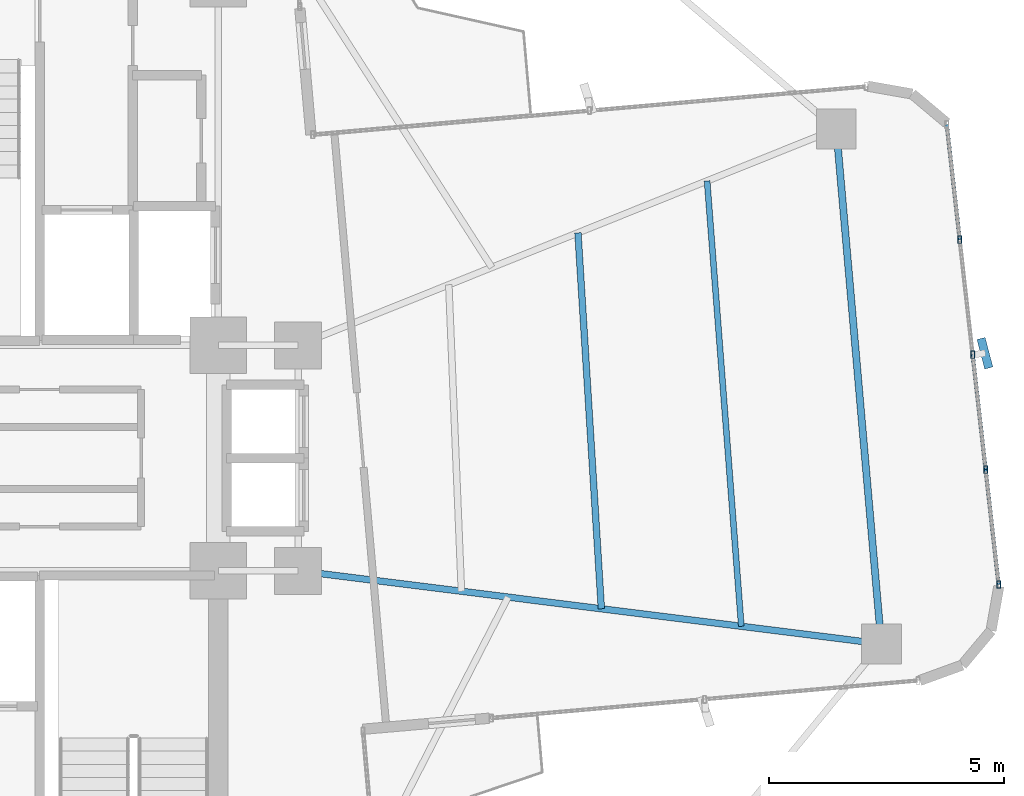
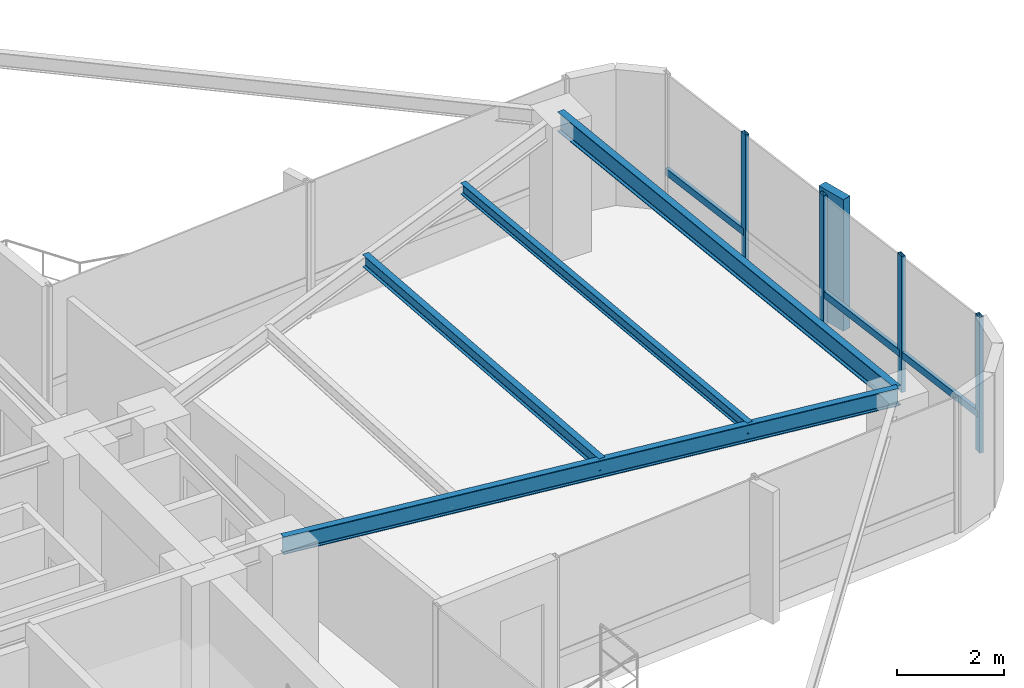
# One storey, part 14 of 24: 8 members, 4 beams, 1 element without a shape of its own.
"""IFC4 building model written with IfcOpenShell, lengths in metres."""

from ifc_helpers import new_model, si_unit, direction, frame, origin, origin_2d, place, context, subcontext, project, spatial, rectangle, hollow_rectangle, i_section, extrude, source, transform, mapped, material, material_profile, profile_set, type_object, element, aggregate, save


model = new_model("IFC4")

# Units and contexts
model_context = context("Model", 3, precision=1e-05, world=origin(), true_north=direction((0.0, 1.0)))
body_context = subcontext(model_context, "Body", "Model", "MODEL_VIEW")
ifc_project = project(units=[si_unit("LENGTHUNIT", "METRE"), si_unit("AREAUNIT", "SQUARE_METRE"), si_unit("VOLUMEUNIT", "CUBIC_METRE"), si_unit("PLANEANGLEUNIT", "RADIAN"), si_unit("MASSUNIT", "GRAM", prefix="KILO")], contexts=[model_context])

# Site, building, storey
site_placement = place(None, origin())
site = spatial("IfcSite", under=ifc_project, at=site_placement, CompositionType="ELEMENT")
building_placement = place(site_placement, origin())
building = spatial("IfcBuilding", under=site, at=building_placement, Name="Sahyath Konkavel Grand Hotel", CompositionType="ELEMENT")
storey_placement = place(building_placement, frame((0.0, 0.0, 160.64990234375)))
storey = spatial("IfcBuildingStorey", under=building, at=storey_placement, Name="L44", CompositionType="ELEMENT", Elevation=160.64990234375)

# Beams
ifc_material_1 = material(Name="Steel E350", Category="steel")
ifc_material_profile_1 = material_profile(ifc_material_1, i_section(OverallWidth=0.139892578125, OverallDepth=0.39990234375, WebThickness=0.0087890625, FlangeThickness=0.01611328125, FilletRadius=0.013916015625, at=origin_2d()), Name="ISMB 400")
ifc_profile_set_1 = profile_set([ifc_material_profile_1], Name="Steel E350")
beam_type_1 = type_object("IfcBeamType", Name="BM-ISMB400", PredefinedType="BEAM", material=ifc_profile_set_1)
shared_shape_1 = source(origin(), body_context, "Body", "SweptSolid", [
    extrude(i_section(OverallWidth=0.139892578125, OverallDepth=0.39990234375, WebThickness=0.0087890625, FlangeThickness=0.01611328125, FilletRadius=0.013916015625, at=origin_2d()), origin(), (0.0, 0.0, 1.0), 12.509765625),
])
beam_1_placement = place(storey_placement, frame((5.5, -2.39990234375, 2.91015625), z_axis=(0.992254740459, -0.124219684578, 0.0), x_axis=(0.124219684578, 0.992254740459, 0.0)))
element("IfcBeam", 1, at=beam_1_placement, inside=storey, type_object=beam_type_1, Name="L44 Cruciform Radial Girder EA", PredefinedType="BEAM", context=body_context, shape_type="MappedRepresentation", body=[
    mapped(shared_shape_1, transform((0.0, 0.0, 0.0), scale=1.0)),
])
ifc_material_profile_2 = material_profile(ifc_material_1, i_section(OverallWidth=0.14990234375, OverallDepth=0.449951171875, WebThickness=0.009521484375, FlangeThickness=0.017333984375, FilletRadius=0.014892578125, at=origin_2d()), Name="ISMB 450")
ifc_profile_set_2 = profile_set([ifc_material_profile_2], Name="Steel E350")
beam_type_2 = type_object("IfcBeamType", Name="BM-ISMB450", PredefinedType="BEAM", material=ifc_profile_set_2)
shared_shape_2 = source(origin(), body_context, "Body", "SweptSolid", [
    extrude(i_section(OverallWidth=0.14990234375, OverallDepth=0.449951171875, WebThickness=0.009521484375, FlangeThickness=0.017333984375, FilletRadius=0.014892578125, at=origin_2d()), origin(), (0.0, 0.0, 1.0), 11.0),
])
beam_2_placement = place(storey_placement, frame((17.912841796875, -3.953857421875, 2.885009765625), z_axis=(-0.087157314015, 0.996194560622, 0.0), x_axis=(-0.996194560622, -0.087157314015, 0.0)))
element("IfcBeam", 2, at=beam_2_placement, inside=storey, type_object=beam_type_2, Name="L44 Wing Tip Edge Beam E", PredefinedType="BEAM", context=body_context, shape_type="MappedRepresentation", body=[
    mapped(shared_shape_2, transform((0.0, 0.0, 0.0), scale=1.0)),
])
ifc_material_profile_3 = material_profile(ifc_material_1, i_section(OverallWidth=0.139892578125, OverallDepth=0.27490234375, WebThickness=0.00634765625, FlangeThickness=0.0087890625, FilletRadius=0.012939453125, at=origin_2d()), Name="ISLB 275")
ifc_profile_set_3 = profile_set([ifc_material_profile_3], Name="Steel E350")
beam_type_3 = type_object("IfcBeamType", Name="BM-ISLB275", PredefinedType="BEAM", material=ifc_profile_set_3)
shared_shape_3 = source(origin(), body_context, "Body", "SweptSolid", [
    extrude(i_section(OverallWidth=0.139892578125, OverallDepth=0.27490234375, WebThickness=0.00634765625, FlangeThickness=0.0087890625, FilletRadius=0.012939453125, at=origin_2d()), origin(), (0.0, 0.0, 1.0), 8.017822265625),
])
beam_3_placement = place(storey_placement, frame((11.95458984375, -3.2080078125, 2.97265625), z_axis=(-0.062179233264, 0.998064999362, 0.0), x_axis=(-0.998064999362, -0.062179233264, 0.0)))
element("IfcBeam", 3, at=beam_3_placement, inside=storey, type_object=beam_type_3, Name="L44 Secondary Floor Beam E-2", PredefinedType="BEAM", context=body_context, shape_type="MappedRepresentation", body=[
    mapped(shared_shape_3, transform((0.0, 0.0, 0.0), scale=1.0)),
])
ifc_material_profile_4 = material_profile(ifc_material_1, i_section(OverallWidth=0.125, OverallDepth=0.25, WebThickness=0.0068359375, FlangeThickness=0.012451171875, FilletRadius=0.012939453125, at=origin_2d()), Name="ISMB 250")
ifc_profile_set_4 = profile_set([ifc_material_profile_4], Name="Steel E350")
beam_type_4 = type_object("IfcBeamType", Name="BM-ISMB250", PredefinedType="BEAM", material=ifc_profile_set_4)
shared_shape_4 = source(origin(), body_context, "Body", "SweptSolid", [
    extrude(i_section(OverallWidth=0.125, OverallDepth=0.25, WebThickness=0.0068359375, FlangeThickness=0.012451171875, FilletRadius=0.012939453125, at=origin_2d()), origin(), (0.0, 0.0, 1.0), 9.508056640625),
])
beam_4_placement = place(storey_placement, frame((14.93359375, -3.580810546875, 2.985107421875), z_axis=(-0.076619921029, 0.997060373148, 0.0), x_axis=(-0.997060373148, -0.076619921029, 0.0)))
element("IfcBeam", 4, at=beam_4_placement, inside=storey, type_object=beam_type_4, Name="L44 Secondary Floor Beam E-3", PredefinedType="BEAM", context=body_context, shape_type="MappedRepresentation", body=[
    mapped(shared_shape_4, transform((0.0, 0.0, 0.0), scale=1.0)),
])

# Curtain wall, members
ifc_material_2 = material(Name="Anodised Bronze Aluminium & Low-E Glazing", Category="aluminium")
curtain_wall_type = type_object("IfcCurtainWallType", Name="CW-ZONE3", PredefinedType="NOTDEFINED", material=ifc_material_2)
curtain_wall_placement = place(storey_placement, origin())
curtain_wall = element("IfcCurtainWall", 5, at=curtain_wall_placement, inside=storey, type_object=curtain_wall_type, Name="L44 Unitised Curtain Wall F4", PredefinedType="NOTDEFINED")
ifc_material_3 = material(Name="Warm Buff Sandstone Cladding on Concrete C50/60", Category="masonry")
ifc_material_profile_5 = material_profile(ifc_material_3, rectangle(XDim=0.179931640625, YDim=0.64990234375, at=origin_2d()), Name="FIN 180x650")
ifc_profile_set_5 = profile_set([ifc_material_profile_5], Name="Warm Buff Sandstone Cladding on Concrete C50/60")
member_type_1 = type_object("IfcMemberType", Name="FIN-SANDSTONE-650", PredefinedType="MULLION", material=ifc_profile_set_5)
shared_shape_5 = source(origin(), body_context, "Body", "SweptSolid", [
    extrude(rectangle(XDim=0.179931640625, YDim=0.64990234375, at=origin_2d()), origin(), (0.0, 0.0, 1.0), 3.010009765625),
])
member_1_placement = place(storey_placement, frame((20.1181640625, 2.23095703125, 0.050048828125), z_axis=(0.0, 0.0, 1.0), x_axis=(0.967134752842, 0.254264369988, 0.0)))
member_1 = element("IfcMember", 6, at=member_1_placement, type_object=member_type_1, Name="L44 Sandstone Vertical Solar Fin FIN F4-2", PredefinedType="MULLION", context=body_context, shape_type="MappedRepresentation", body=[
    mapped(shared_shape_5, transform((0.0, 0.0, 0.0), scale=1.0)),
])
ifc_material_4 = material(Name="Anodised Bronze Aluminium", Category="aluminium")
ifc_material_profile_6 = material_profile(ifc_material_4, hollow_rectangle(XDim=0.080078125, YDim=0.159912109375, WallThickness=0.006103515625, at=origin_2d()), Name="RHS 160x80x6")
ifc_profile_set_6 = profile_set([ifc_material_profile_6], Name="Anodised Bronze Aluminium")
member_type_2 = type_object("IfcMemberType", Name="CW-MUL-160", PredefinedType="MULLION", material=ifc_profile_set_6)
shared_shape_6 = source(origin(), body_context, "Body", "SweptSolid", [
    extrude(hollow_rectangle(XDim=0.080078125, YDim=0.159912109375, WallThickness=0.006103515625, at=origin_2d()), origin(), (0.0, 0.0, 1.0), 3.110107421875),
])
member_2_placement = place(storey_placement, frame((20.4111328125, -2.69140625, 0.0), z_axis=(0.0, 0.0, 1.0), x_axis=(1.0, 0.0, 0.0)))
member_2 = element("IfcMember", 7, at=member_2_placement, type_object=member_type_2, Name="L44 Curtain Wall Mullion F4-0", PredefinedType="MULLION", context=body_context, shape_type="MappedRepresentation", body=[
    mapped(shared_shape_6, transform((0.0, 0.0, 0.0), scale=1.0)),
])
member_3_placement = place(storey_placement, frame((20.135498046875, -0.24462890625, 0.0), z_axis=(0.0, 0.0, 1.0), x_axis=(1.0, 0.0, 0.0)))
member_3 = element("IfcMember", 8, at=member_3_placement, type_object=member_type_2, Name="L44 Curtain Wall Mullion F4-1", PredefinedType="MULLION", context=body_context, shape_type="MappedRepresentation", body=[
    mapped(shared_shape_6, transform((0.0, 0.0, 0.0), scale=1.0)),
])
member_4_placement = place(storey_placement, frame((19.859619140625, 2.201904296875, 0.0), z_axis=(0.0, 0.0, 1.0), x_axis=(1.0, 0.0, 0.0)))
member_4 = element("IfcMember", 9, at=member_4_placement, type_object=member_type_2, Name="L44 Curtain Wall Mullion F4-2", PredefinedType="MULLION", context=body_context, shape_type="MappedRepresentation", body=[
    mapped(shared_shape_6, transform((0.0, 0.0, 0.0), scale=1.0)),
])
member_5_placement = place(storey_placement, frame((19.583984375, 4.648193359375, 0.0), z_axis=(0.0, 0.0, 1.0), x_axis=(1.0, 0.0, 0.0)))
member_5 = element("IfcMember", 10, at=member_5_placement, type_object=member_type_2, Name="L44 Curtain Wall Mullion F4-3", PredefinedType="MULLION", context=body_context, shape_type="MappedRepresentation", body=[
    mapped(shared_shape_6, transform((0.0, 0.0, 0.0), scale=1.0)),
])
ifc_material_profile_7 = material_profile(ifc_material_4, hollow_rectangle(XDim=0.080078125, YDim=0.159912109375, WallThickness=0.006103515625, at=origin_2d()), Name="RHS 160x80x6")
ifc_profile_set_7 = profile_set([ifc_material_profile_7], Name="Anodised Bronze Aluminium")
member_type_3 = type_object("IfcMemberType", Name="CW-TRN-160", PredefinedType="USERDEFINED", material=ifc_profile_set_7)
shared_shape_7 = source(origin(), body_context, "Body", "SweptSolid", [
    extrude(hollow_rectangle(XDim=0.080078125, YDim=0.159912109375, WallThickness=0.006103515625, at=origin_2d()), origin(), (0.0, 0.0, 1.0), 2.462158203125),
])
member_6_placement = place(storey_placement, frame((20.4111328125, -2.69140625, 0.85009765625), z_axis=(-0.11194409079, 0.993714506555, 0.0), x_axis=(-0.993714506555, -0.11194409079, 0.0)))
member_6 = element("IfcMember", 11, at=member_6_placement, type_object=member_type_3, Name="L44 Curtain Wall Transom F4-0-spandrel", ObjectType="TRANSOM", PredefinedType="USERDEFINED", context=body_context, shape_type="MappedRepresentation", body=[
    mapped(shared_shape_7, transform((0.0, 0.0, 0.0), scale=1.0)),
])
member_7_placement = place(storey_placement, frame((20.135498046875, -0.24462890625, 0.85009765625), z_axis=(-0.112053040279, 0.99370222711, 0.0), x_axis=(-0.99370222711, -0.112053040279, 0.0)))
member_7 = element("IfcMember", 12, at=member_7_placement, type_object=member_type_3, Name="L44 Curtain Wall Transom F4-1-spandrel", ObjectType="TRANSOM", PredefinedType="USERDEFINED", context=body_context, shape_type="MappedRepresentation", body=[
    mapped(shared_shape_7, transform((0.0, 0.0, 0.0), scale=1.0)),
])
member_8_placement = place(storey_placement, frame((19.583984375, 4.648193359375, 0.85009765625), z_axis=(-0.11194409079, 0.993714506555, 0.0), x_axis=(-0.993714506555, -0.11194409079, 0.0)))
member_8 = element("IfcMember", 13, at=member_8_placement, type_object=member_type_3, Name="L44 Curtain Wall Transom F4-3-spandrel", ObjectType="TRANSOM", PredefinedType="USERDEFINED", context=body_context, shape_type="MappedRepresentation", body=[
    mapped(shared_shape_7, transform((0.0, 0.0, 0.0), scale=1.0)),
])
aggregate(curtain_wall, [member_2, member_3, member_4, member_1, member_5, member_6, member_7, member_8])

save(model, "model.ifc")
